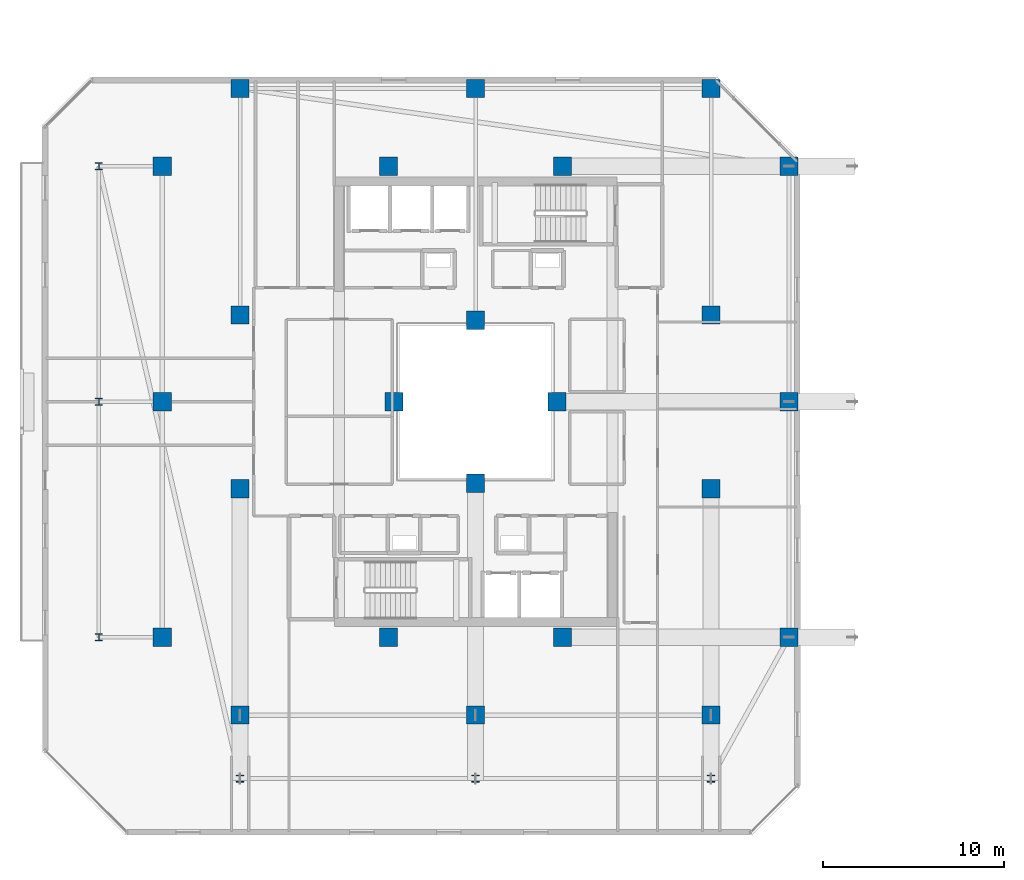
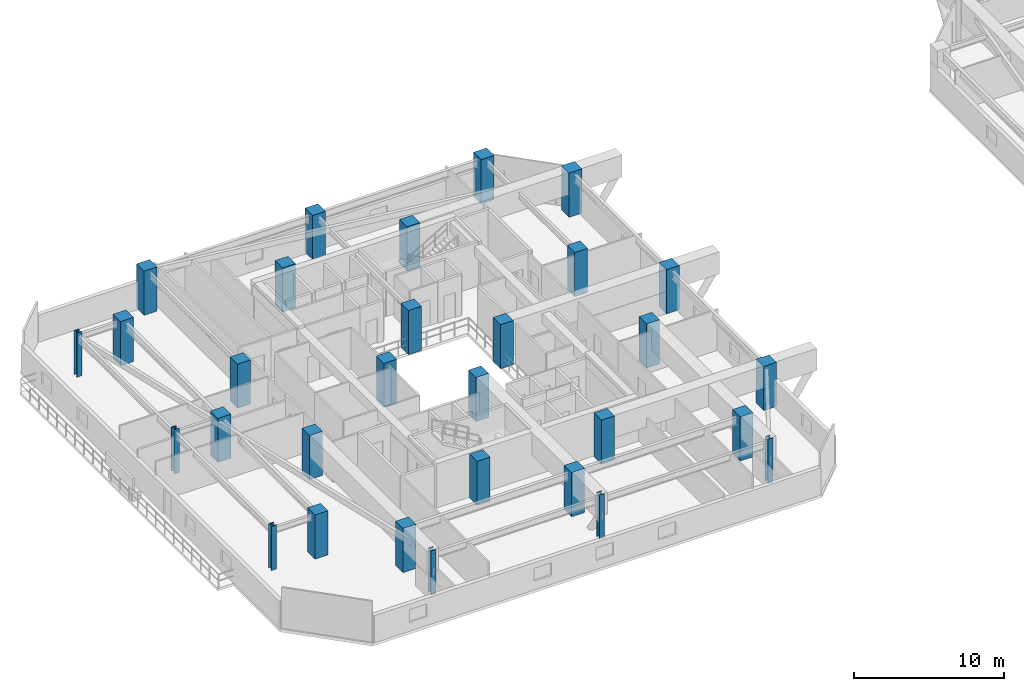
# One storey, part 1 of 34: 30 columns.
"""IFC4 building model written with IfcOpenShell, lengths in metres."""

from ifc_helpers import new_model, si_unit, direction, frame, origin, origin_2d, place, context, subcontext, project, spatial, rectangle, i_section, extrude, material, material_profile, profile_set, type_object, element, save


model = new_model("IFC4")

# Units and contexts
model_context = context("Model", 3, precision=1e-05, world=origin(), true_north=direction((0.0, 1.0)))
body_context = subcontext(model_context, "Body", "Model", "MODEL_VIEW")
ifc_project = project(units=[si_unit("LENGTHUNIT", "METRE"), si_unit("AREAUNIT", "SQUARE_METRE"), si_unit("VOLUMEUNIT", "CUBIC_METRE"), si_unit("PLANEANGLEUNIT", "RADIAN"), si_unit("MASSUNIT", "GRAM", prefix="KILO")], contexts=[model_context])

# Site, building, storey
site_placement = place(None, origin())
site = spatial("IfcSite", under=ifc_project, at=site_placement, CompositionType="ELEMENT")
building_placement = place(site_placement, origin())
building = spatial("IfcBuilding", under=site, at=building_placement, Name="Thornwick Lancets Civic Towers", CompositionType="ELEMENT")
storey_placement = place(building_placement, frame((0.0, 0.0, 251.10009765625)))
storey = spatial("IfcBuildingStorey", under=building, at=storey_placement, Name="L67", CompositionType="ELEMENT", Elevation=251.10009765625)

# Columns
ifc_material_1 = material(Name="Concrete C50/60", Category="concrete")
ifc_material_profile_1 = material_profile(ifc_material_1, rectangle(XDim=1.0, YDim=1.0, at=origin_2d()), Name="RC 1000x1000")
ifc_profile_set_1 = profile_set([ifc_material_profile_1], Name="Concrete C50/60")
column_type_1 = type_object("IfcColumnType", Name="COL_RC_1000", PredefinedType="COLUMN", material=ifc_profile_set_1)
for number, where, z_axis, x_axis, name in (
    (1, (12.5, 9.699951171875, 0.0), (0.0, 0.0, 1.0), (1.0, 0.0, 0.0), "L67 Spine Mega-Column A01"),
    (2, (25.5, 9.699951171875, 0.0), (0.0, 0.0, 1.0), (1.0, 0.0, 0.0), "L67 Spine Mega-Column A02"),
    (3, (38.5, 9.699951171875, 0.0), (0.0, 0.0, 1.0), (1.0, 0.0, 0.0), "L67 Spine Mega-Column A03"),
    (4, (42.800048828125, 14.0, 0.0), (0.0, 0.0, 1.0), (1.0, 0.0, 0.0), "L67 Spine Mega-Column A04"),
    (5, (42.800048828125, 27.0, 0.0), (0.0, 0.0, 1.0), (1.0, 0.0, 0.0), "L67 Spine Mega-Column A05"),
    (6, (42.800048828125, 40.0, 0.0), (0.0, 0.0, 1.0), (1.0, 0.0, 0.0), "L67 Spine Mega-Column A06"),
    (7, (12.5, 44.300048828125, 0.0), (0.0, 0.0, 1.0), (1.0, 0.0, 0.0), "L67 Spine Mega-Column A07"),
    (8, (25.5, 44.300048828125, 0.0), (0.0, 0.0, 1.0), (1.0, 0.0, 0.0), "L67 Spine Mega-Column A08"),
    (9, (38.5, 44.300048828125, 0.0), (0.0, 0.0, 1.0), (1.0, 0.0, 0.0), "L67 Spine Mega-Column A09"),
    (10, (8.199951171875, 14.0, 0.0), (0.0, 0.0, 1.0), (1.0, 0.0, 0.0), "L67 Spine Mega-Column A10"),
    (11, (8.199951171875, 27.0, 0.0), (0.0, 0.0, 1.0), (1.0, 0.0, 0.0), "L67 Spine Mega-Column A11"),
    (12, (8.199951171875, 40.0, 0.0), (0.0, 0.0, 1.0), (1.0, 0.0, 0.0), "L67 Spine Mega-Column A12"),
    (13, (12.5, 22.199951171875, 0.0), (0.0, 0.0, 1.0), (1.0, 0.0, 0.0), "L67 Spine Mega-Column A13"),
    (14, (38.5, 22.199951171875, 0.0), (0.0, 0.0, 1.0), (1.0, 0.0, 0.0), "L67 Spine Mega-Column A14"),
    (15, (12.5, 31.800048828125, 0.0), (0.0, 0.0, 1.0), (1.0, 0.0, 0.0), "L67 Spine Mega-Column A15"),
    (16, (38.5, 31.800048828125, 0.0), (0.0, 0.0, 1.0), (1.0, 0.0, 0.0), "L67 Spine Mega-Column A16"),
    (17, (20.699951171875, 14.0, 0.0), (0.0, 0.0, 1.0), (1.0, 0.0, 0.0), "L67 Spine Mega-Column A17"),
    (18, (30.300048828125, 14.0, 0.0), (0.0, 0.0, 1.0), (1.0, 0.0, 0.0), "L67 Spine Mega-Column A18"),
    (19, (20.699951171875, 40.0, 0.0), (0.0, 0.0, 1.0), (1.0, 0.0, 0.0), "L67 Spine Mega-Column A19"),
    (20, (30.300048828125, 40.0, 0.0), (0.0, 0.0, 1.0), (1.0, 0.0, 0.0), "L67 Spine Mega-Column A20"),
    (21, (25.5, 22.5, 0.0), (0.0, 0.0, 1.0), (1.0, 0.0, 0.0), "L67 Spine Mega-Column A21"),
    (22, (25.5, 31.5, 0.0), (0.0, 0.0, 1.0), (1.0, 0.0, 0.0), "L67 Spine Mega-Column A22"),
    (23, (21.0, 27.0, 0.0), (0.0, 0.0, 1.0), (1.0, 0.0, 0.0), "L67 Spine Mega-Column A23"),
    (24, (30.0, 27.0, 0.0), (0.0, 0.0, 1.0), (1.0, 0.0, 0.0), "L67 Spine Mega-Column A24"),
):
    element("IfcColumn", number, at=place(storey_placement, frame(where, z_axis=z_axis, x_axis=x_axis)), inside=storey, type_object=column_type_1, Name=name, PredefinedType="COLUMN", context=body_context, shape_type="SweptSolid", body=[
        extrude(rectangle(XDim=1.0, YDim=1.0, at=origin_2d()), origin(), (0.0, 0.0, 1.0), 3.599853515625),
    ])
ifc_material_2 = material(Name="Steel S355JR", Category="steel")
ifc_material_profile_2 = material_profile(ifc_material_2, i_section(OverallWidth=0.39892578125, OverallDepth=0.3935546875, WebThickness=0.022705078125, FlangeThickness=0.03662109375, FilletRadius=0.01513671875, at=origin_2d()), Name="UKC 356x406x287")
ifc_profile_set_2 = profile_set([ifc_material_profile_2], Name="Steel S355JR")
column_type_2 = type_object("IfcColumnType", Name="COL_UKC_287", PredefinedType="COLUMN", material=ifc_profile_set_2)
for number, where, z_axis, x_axis, name in (
    (25, (12.5, 6.199951171875, 0.0), (0.0, 0.0, 1.0), (1.0, 0.0, 0.0), "L67 Block Perimeter Column A01"),
    (26, (25.5, 6.199951171875, 0.0), (0.0, 0.0, 1.0), (1.0, 0.0, 0.0), "L67 Block Perimeter Column A02"),
    (27, (38.5, 6.199951171875, 0.0), (0.0, 0.0, 1.0), (1.0, 0.0, 0.0), "L67 Block Perimeter Column A03"),
    (28, (4.699951171875, 14.0, 0.0), (0.0, 0.0, 1.0), (1.0, 0.0, 0.0), "L67 Block Perimeter Column A10"),
    (29, (4.699951171875, 27.0, 0.0), (0.0, 0.0, 1.0), (1.0, 0.0, 0.0), "L67 Block Perimeter Column A11"),
    (30, (4.699951171875, 40.0, 0.0), (0.0, 0.0, 1.0), (1.0, 0.0, 0.0), "L67 Block Perimeter Column A12"),
):
    element("IfcColumn", number, at=place(storey_placement, frame(where, z_axis=z_axis, x_axis=x_axis)), inside=storey, type_object=column_type_2, Name=name, PredefinedType="COLUMN", context=body_context, shape_type="SweptSolid", body=[
        extrude(i_section(OverallWidth=0.39892578125, OverallDepth=0.3935546875, WebThickness=0.022705078125, FlangeThickness=0.03662109375, FilletRadius=0.01513671875, at=origin_2d()), origin(), (0.0, 0.0, 1.0), 3.599853515625),
    ])

save(model, "model.ifc")
